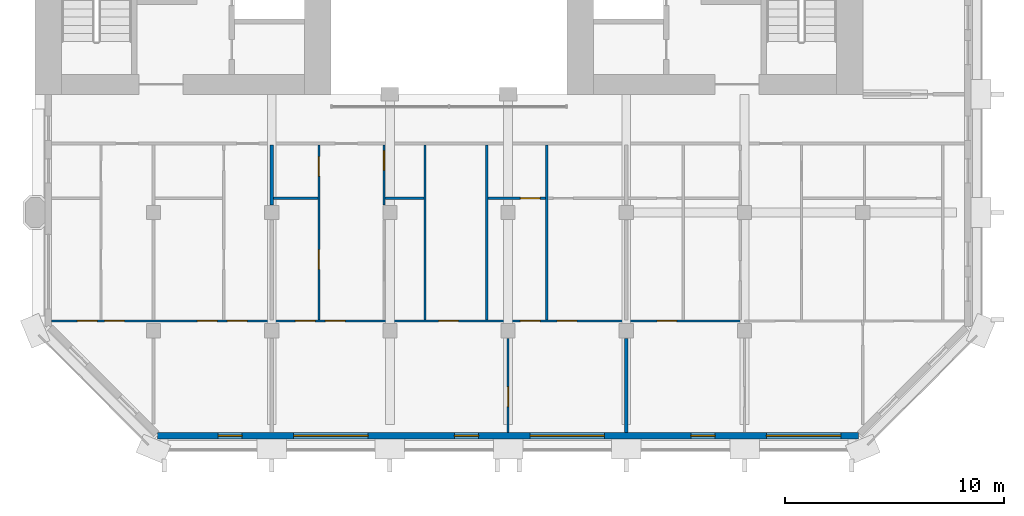
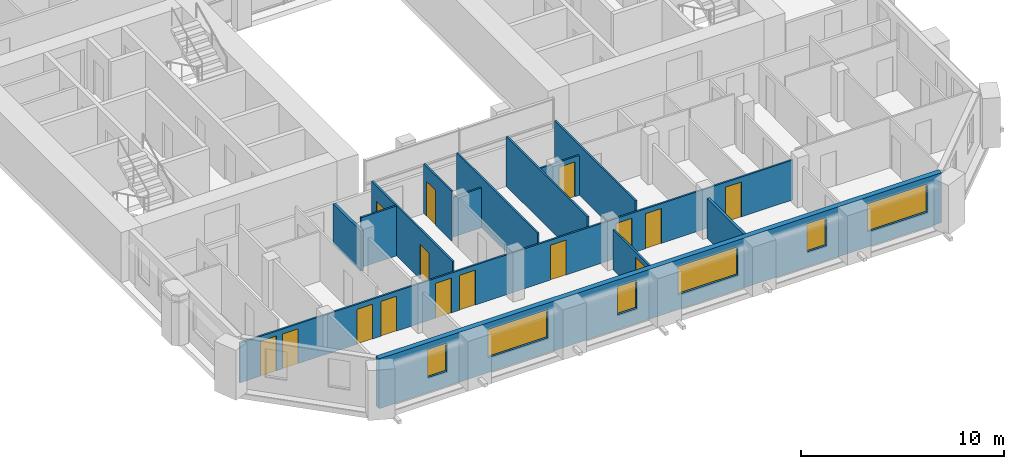
# One storey, part 6 of 14: 15 doors, 13 walls, 6 windows, 21 openings.
"""IFC4 building model written with IfcOpenShell, lengths in metres."""

from ifc_helpers import new_model, si_unit, direction, frame, frame_2d, origin, place, context, subcontext, project, spatial, rectangle, extrude, material, layer, layer_set, type_object, element, fill, save


model = new_model("IFC4")

# Units and contexts
model_context = context("Model", 3, precision=1e-05, world=origin(), true_north=direction((0.0, 1.0)))
body_context = subcontext(model_context, "Body", "Model", "MODEL_VIEW")
ifc_project = project(units=[si_unit("LENGTHUNIT", "METRE"), si_unit("AREAUNIT", "SQUARE_METRE"), si_unit("VOLUMEUNIT", "CUBIC_METRE"), si_unit("PLANEANGLEUNIT", "RADIAN"), si_unit("MASSUNIT", "GRAM", prefix="KILO")], contexts=[model_context])

# Site, building, storey
site_placement = place(None, origin())
site = spatial("IfcSite", under=ifc_project, at=site_placement, CompositionType="ELEMENT")
building_placement = place(site_placement, origin())
building = spatial("IfcBuilding", under=site, at=building_placement, Name="Tabaq Tower and Sports Hall", CompositionType="ELEMENT")
storey_placement = place(building_placement, frame((0.0, 0.0, 281.800048828125)))
storey = spatial("IfcBuildingStorey", under=building, at=storey_placement, Name="L69", CompositionType="ELEMENT", Elevation=281.800048828125)

# Wall, openings, doors
ifc_material_1 = material(Name="Gypsum board on steel studs", Category="steel")
ifc_layer_1 = layer(ifc_material_1, 0.10009765625)
ifc_layer_set_1 = layer_set([ifc_layer_1], Name="Partition 100 Gypsum board")
wall_type_1 = type_object("IfcWallType", Name="Partition 100 Gypsum board", PredefinedType="PARTITIONING", material=ifc_layer_set_1)
wall_1_placement = place(storey_placement, frame((37.652099609375, 5.85009765625, 0.0), z_axis=(0.0, 0.0, 1.0), x_axis=(-1.0, 0.0, 0.0)))
wall_1 = element("IfcWall", 1, at=wall_1_placement, inside=storey, type_object=wall_type_1, Name="Partition wall L69", PredefinedType="PARTITIONING", context=body_context, shape_type="SweptSolid", body=[
    extrude(rectangle(XDim=31.501220703125, YDim=0.10009765625, at=frame_2d((15.75048828125, 0.0))), origin(), (0.0, 0.0, 1.0), 2.39990234375),
])
opening_1_placement = place(wall_1_placement, frame((12.923095703125, 0.0, 0.0)))
opening_1 = element("IfcOpeningElement", 2, at=opening_1_placement, cuts=wall_1, Name="Opening L69-015", PredefinedType="OPENING", context=body_context, shape_type="SweptSolid", body=[
    extrude(rectangle(XDim=0.89990234375, YDim=2.10009765625, at=frame_2d((0.449951171875, 1.050048828125))), frame((0.0, 0.050048828125, 0.0), z_axis=(0.0, -1.0, 0.0), x_axis=(1.0, 0.0, 0.0)), (0.0, 0.0, 1.0), 0.10009765625),
])
opening_2_placement = place(wall_1_placement, frame((29.422119140625, 0.0, 0.0)))
opening_2 = element("IfcOpeningElement", 3, at=opening_2_placement, cuts=wall_1, Name="Opening L69-034", PredefinedType="OPENING", context=body_context, shape_type="SweptSolid", body=[
    extrude(rectangle(XDim=0.89990234375, YDim=2.10009765625, at=frame_2d((0.449951171875, 1.050048828125))), frame((0.0, 0.050048828125, 0.0), z_axis=(0.0, -1.0, 0.0), x_axis=(1.0, 0.0, 0.0)), (0.0, 0.0, 1.0), 0.10009765625),
])
opening_3_placement = place(wall_1_placement, frame((28.181884765625, 0.0, 0.0)))
opening_3 = element("IfcOpeningElement", 4, at=opening_3_placement, cuts=wall_1, Name="Opening L69-035", PredefinedType="OPENING", context=body_context, shape_type="SweptSolid", body=[
    extrude(rectangle(XDim=0.89990234375, YDim=2.10009765625, at=frame_2d((0.449951171875, 1.050048828125))), frame((0.0, 0.050048828125, 0.0), z_axis=(0.0, -1.0, 0.0), x_axis=(1.0, 0.0, 0.0)), (0.0, 0.0, 1.0), 0.10009765625),
])
opening_4_placement = place(wall_1_placement, frame((23.94189453125, 0.0, 0.0)))
opening_4 = element("IfcOpeningElement", 5, at=opening_4_placement, cuts=wall_1, Name="Opening L69-037", PredefinedType="OPENING", context=body_context, shape_type="SweptSolid", body=[
    extrude(rectangle(XDim=0.89990234375, YDim=2.10009765625, at=frame_2d((0.449951171875, 1.050048828125))), frame((0.0, 0.050048828125, 0.0), z_axis=(0.0, -1.0, 0.0), x_axis=(1.0, 0.0, 0.0)), (0.0, 0.0, 1.0), 0.10009765625),
])
opening_5_placement = place(wall_1_placement, frame((22.572021484375, 0.0, 0.0)))
opening_5 = element("IfcOpeningElement", 6, at=opening_5_placement, cuts=wall_1, Name="Opening L69-038", PredefinedType="OPENING", context=body_context, shape_type="SweptSolid", body=[
    extrude(rectangle(XDim=0.89990234375, YDim=2.10009765625, at=frame_2d((0.449951171875, 1.050048828125))), frame((0.0, 0.050048828125, 0.0), z_axis=(0.0, -1.0, 0.0), x_axis=(1.0, 0.0, 0.0)), (0.0, 0.0, 1.0), 0.10009765625),
])
opening_6_placement = place(wall_1_placement, frame((19.466064453125, 0.0, 0.0)))
opening_6 = element("IfcOpeningElement", 7, at=opening_6_placement, cuts=wall_1, Name="Opening L69-040", PredefinedType="OPENING", context=body_context, shape_type="SweptSolid", body=[
    extrude(rectangle(XDim=0.89990234375, YDim=2.10009765625, at=frame_2d((0.449951171875, 1.050048828125))), frame((0.0, 0.050048828125, 0.0), z_axis=(0.0, -1.0, 0.0), x_axis=(1.0, 0.0, 0.0)), (0.0, 0.0, 1.0), 0.10009765625),
])
opening_7_placement = place(wall_1_placement, frame((9.18994140625, 0.0, 0.0)))
opening_7 = element("IfcOpeningElement", 8, at=opening_7_placement, cuts=wall_1, Name="Opening L69-041", PredefinedType="OPENING", context=body_context, shape_type="SweptSolid", body=[
    extrude(rectangle(XDim=0.89990234375, YDim=2.10009765625, at=frame_2d((0.449951171875, 1.050048828125))), frame((0.0, 0.050048828125, 0.0), z_axis=(0.0, -1.0, 0.0), x_axis=(1.0, 0.0, 0.0)), (0.0, 0.0, 1.0), 0.10009765625),
])
opening_8_placement = place(wall_1_placement, frame((7.511962890625, 0.0, 0.0)))
opening_8 = element("IfcOpeningElement", 9, at=opening_8_placement, cuts=wall_1, Name="Opening L69-042", PredefinedType="OPENING", context=body_context, shape_type="SweptSolid", body=[
    extrude(rectangle(XDim=0.89990234375, YDim=2.10009765625, at=frame_2d((0.449951171875, 1.050048828125))), frame((0.0, 0.050048828125, 0.0), z_axis=(0.0, -1.0, 0.0), x_axis=(1.0, 0.0, 0.0)), (0.0, 0.0, 1.0), 0.10009765625),
])
opening_9_placement = place(wall_1_placement, frame((2.951904296875, 0.0, 0.0)))
opening_9 = element("IfcOpeningElement", 10, at=opening_9_placement, cuts=wall_1, Name="Opening L69-045", PredefinedType="OPENING", context=body_context, shape_type="SweptSolid", body=[
    extrude(rectangle(XDim=0.89990234375, YDim=2.10009765625, at=frame_2d((0.449951171875, 1.050048828125))), frame((0.0, 0.050048828125, 0.0), z_axis=(0.0, -1.0, 0.0), x_axis=(1.0, 0.0, 0.0)), (0.0, 0.0, 1.0), 0.10009765625),
])
opening_10_placement = place(wall_1_placement, frame((18.095947265625, 0.0, 0.0)))
opening_10 = element("IfcOpeningElement", 11, at=opening_10_placement, cuts=wall_1, Name="Opening L69-060", PredefinedType="OPENING", context=body_context, shape_type="SweptSolid", body=[
    extrude(rectangle(XDim=0.89990234375, YDim=2.10009765625, at=frame_2d((0.449951171875, 1.050048828125))), frame((0.0, 0.050048828125, 0.0), z_axis=(0.0, -1.0, 0.0), x_axis=(1.0, 0.0, 0.0)), (0.0, 0.0, 1.0), 0.10009765625),
])
ifc_material_2 = material(Name="Timber leaf in steel frame", Category="steel")
door_type_1 = type_object("IfcDoorType", Name="Internal door 900 left hand", OperationType="SINGLE_SWING_LEFT", PredefinedType="DOOR", material=ifc_material_2)
door_1_placement = place(opening_2_placement, origin())
door_1 = element("IfcDoor", 12, at=door_1_placement, inside=storey, type_object=door_type_1, Name="Internal door L69-034", OperationType="SINGLE_SWING_LEFT", OverallHeight=2.10009765625, OverallWidth=0.89990234375, PredefinedType="DOOR", context=body_context, shape_type="SweptSolid", body=[
    extrude(rectangle(XDim=0.89990234375, YDim=2.10009765625, at=frame_2d((0.449951171875, 1.050048828125))), frame((0.0, 0.02490234375, 0.0), z_axis=(0.0, -1.0, 0.0), x_axis=(1.0, 0.0, 0.0)), (0.0, 0.0, 1.0), 0.050048828125),
])
fill(opening_2, door_1)
door_2_placement = place(opening_4_placement, origin())
door_2 = element("IfcDoor", 13, at=door_2_placement, inside=storey, type_object=door_type_1, Name="Internal door L69-037", OperationType="SINGLE_SWING_LEFT", OverallHeight=2.10009765625, OverallWidth=0.89990234375, PredefinedType="DOOR", context=body_context, shape_type="SweptSolid", body=[
    extrude(rectangle(XDim=0.89990234375, YDim=2.10009765625, at=frame_2d((0.449951171875, 1.050048828125))), frame((0.0, 0.02490234375, 0.0), z_axis=(0.0, -1.0, 0.0), x_axis=(1.0, 0.0, 0.0)), (0.0, 0.0, 1.0), 0.050048828125),
])
fill(opening_4, door_2)
door_3_placement = place(opening_6_placement, origin())
door_3 = element("IfcDoor", 14, at=door_3_placement, inside=storey, type_object=door_type_1, Name="Internal door L69-040", OperationType="SINGLE_SWING_LEFT", OverallHeight=2.10009765625, OverallWidth=0.89990234375, PredefinedType="DOOR", context=body_context, shape_type="SweptSolid", body=[
    extrude(rectangle(XDim=0.89990234375, YDim=2.10009765625, at=frame_2d((0.449951171875, 1.050048828125))), frame((0.0, 0.02490234375, 0.0), z_axis=(0.0, -1.0, 0.0), x_axis=(1.0, 0.0, 0.0)), (0.0, 0.0, 1.0), 0.050048828125),
])
fill(opening_6, door_3)
door_4_placement = place(opening_7_placement, origin())
door_4 = element("IfcDoor", 15, at=door_4_placement, inside=storey, type_object=door_type_1, Name="Internal door L69-041", OperationType="SINGLE_SWING_LEFT", OverallHeight=2.10009765625, OverallWidth=0.89990234375, PredefinedType="DOOR", context=body_context, shape_type="SweptSolid", body=[
    extrude(rectangle(XDim=0.89990234375, YDim=2.10009765625, at=frame_2d((0.449951171875, 1.050048828125))), frame((0.0, 0.02490234375, 0.0), z_axis=(0.0, -1.0, 0.0), x_axis=(1.0, 0.0, 0.0)), (0.0, 0.0, 1.0), 0.050048828125),
])
fill(opening_7, door_4)
ifc_material_3 = material(Name="Timber leaf in steel frame", Category="steel")
door_type_2 = type_object("IfcDoorType", Name="Internal door 900 right hand", OperationType="SINGLE_SWING_RIGHT", PredefinedType="DOOR", material=ifc_material_3)
door_5_placement = place(opening_1_placement, origin())
door_5 = element("IfcDoor", 16, at=door_5_placement, inside=storey, type_object=door_type_2, Name="Internal door L69-015", OperationType="SINGLE_SWING_RIGHT", OverallHeight=2.10009765625, OverallWidth=0.89990234375, PredefinedType="DOOR", context=body_context, shape_type="SweptSolid", body=[
    extrude(rectangle(XDim=0.89990234375, YDim=2.10009765625, at=frame_2d((0.449951171875, 1.050048828125))), frame((0.0, 0.02490234375, 0.0), z_axis=(0.0, -1.0, 0.0), x_axis=(1.0, 0.0, 0.0)), (0.0, 0.0, 1.0), 0.050048828125),
])
fill(opening_1, door_5)
door_6_placement = place(opening_3_placement, origin())
door_6 = element("IfcDoor", 17, at=door_6_placement, inside=storey, type_object=door_type_2, Name="Internal door L69-035", OperationType="SINGLE_SWING_RIGHT", OverallHeight=2.10009765625, OverallWidth=0.89990234375, PredefinedType="DOOR", context=body_context, shape_type="SweptSolid", body=[
    extrude(rectangle(XDim=0.89990234375, YDim=2.10009765625, at=frame_2d((0.449951171875, 1.050048828125))), frame((0.0, 0.02490234375, 0.0), z_axis=(0.0, -1.0, 0.0), x_axis=(1.0, 0.0, 0.0)), (0.0, 0.0, 1.0), 0.050048828125),
])
fill(opening_3, door_6)
door_7_placement = place(opening_5_placement, origin())
door_7 = element("IfcDoor", 18, at=door_7_placement, inside=storey, type_object=door_type_2, Name="Internal door L69-038", OperationType="SINGLE_SWING_RIGHT", OverallHeight=2.10009765625, OverallWidth=0.89990234375, PredefinedType="DOOR", context=body_context, shape_type="SweptSolid", body=[
    extrude(rectangle(XDim=0.89990234375, YDim=2.10009765625, at=frame_2d((0.449951171875, 1.050048828125))), frame((0.0, 0.02490234375, 0.0), z_axis=(0.0, -1.0, 0.0), x_axis=(1.0, 0.0, 0.0)), (0.0, 0.0, 1.0), 0.050048828125),
])
fill(opening_5, door_7)
door_8_placement = place(opening_8_placement, origin())
door_8 = element("IfcDoor", 19, at=door_8_placement, inside=storey, type_object=door_type_2, Name="Internal door L69-042", OperationType="SINGLE_SWING_RIGHT", OverallHeight=2.10009765625, OverallWidth=0.89990234375, PredefinedType="DOOR", context=body_context, shape_type="SweptSolid", body=[
    extrude(rectangle(XDim=0.89990234375, YDim=2.10009765625, at=frame_2d((0.449951171875, 1.050048828125))), frame((0.0, 0.02490234375, 0.0), z_axis=(0.0, -1.0, 0.0), x_axis=(1.0, 0.0, 0.0)), (0.0, 0.0, 1.0), 0.050048828125),
])
fill(opening_8, door_8)
door_9_placement = place(opening_9_placement, origin())
door_9 = element("IfcDoor", 20, at=door_9_placement, inside=storey, type_object=door_type_2, Name="Internal door L69-045", OperationType="SINGLE_SWING_RIGHT", OverallHeight=2.10009765625, OverallWidth=0.89990234375, PredefinedType="DOOR", context=body_context, shape_type="SweptSolid", body=[
    extrude(rectangle(XDim=0.89990234375, YDim=2.10009765625, at=frame_2d((0.449951171875, 1.050048828125))), frame((0.0, 0.02490234375, 0.0), z_axis=(0.0, -1.0, 0.0), x_axis=(1.0, 0.0, 0.0)), (0.0, 0.0, 1.0), 0.050048828125),
])
fill(opening_9, door_9)
door_10_placement = place(opening_10_placement, origin())
door_10 = element("IfcDoor", 21, at=door_10_placement, inside=storey, type_object=door_type_2, Name="Internal door L69-060", OperationType="SINGLE_SWING_RIGHT", OverallHeight=2.10009765625, OverallWidth=0.89990234375, PredefinedType="DOOR", context=body_context, shape_type="SweptSolid", body=[
    extrude(rectangle(XDim=0.89990234375, YDim=2.10009765625, at=frame_2d((0.449951171875, 1.050048828125))), frame((0.0, 0.02490234375, 0.0), z_axis=(0.0, -1.0, 0.0), x_axis=(1.0, 0.0, 0.0)), (0.0, 0.0, 1.0), 0.050048828125),
])
fill(opening_10, door_10)

# Wall, opening, door
wall_2_placement = place(storey_placement, frame((27.0, 0.7509765625, 0.0), z_axis=(0.0, 0.0, 1.0), x_axis=(0.0, 1.0, 0.0)))
wall_2 = element("IfcWall", 22, at=wall_2_placement, inside=storey, type_object=wall_type_1, Name="Partition wall L69", PredefinedType="PARTITIONING", context=body_context, shape_type="SweptSolid", body=[
    extrude(rectangle(XDim=4.303955078125, YDim=0.10009765625, at=frame_2d((2.15185546875, 0.0))), origin(), (0.0, 0.0, 1.0), 2.39990234375),
])
opening_11_placement = place(wall_2_placement, frame((1.179931640625, 0.0, 0.0)))
opening_11 = element("IfcOpeningElement", 23, at=opening_11_placement, cuts=wall_2, Name="Opening L69-051", PredefinedType="OPENING", context=body_context, shape_type="SweptSolid", body=[
    extrude(rectangle(XDim=0.89990234375, YDim=2.10009765625, at=frame_2d((0.449951171875, 1.050048828125))), frame((0.0, 0.050048828125, 0.0), z_axis=(0.0, -1.0, 0.0), x_axis=(1.0, 0.0, 0.0)), (0.0, 0.0, 1.0), 0.10009765625),
])
door_11_placement = place(opening_11_placement, origin())
door_11 = element("IfcDoor", 24, at=door_11_placement, inside=storey, type_object=door_type_2, Name="Internal door L69-051", OperationType="SINGLE_SWING_RIGHT", OverallHeight=2.10009765625, OverallWidth=0.89990234375, PredefinedType="DOOR", context=body_context, shape_type="SweptSolid", body=[
    extrude(rectangle(XDim=0.89990234375, YDim=2.10009765625, at=frame_2d((0.449951171875, 1.050048828125))), frame((0.0, 0.02490234375, 0.0), z_axis=(0.0, -1.0, 0.0), x_axis=(1.0, 0.0, 0.0)), (0.0, 0.0, 1.0), 0.050048828125),
])
fill(opening_11, door_11)

# Wall
wall_3_placement = place(storey_placement, frame((18.305908203125, 11.449951171875, 0.0), z_axis=(0.0, 0.0, 1.0), x_axis=(-1.0, 0.0, 0.0)))
element("IfcWall", 25, at=wall_3_placement, inside=storey, type_object=wall_type_1, Name="Partition wall L69", PredefinedType="PARTITIONING", context=body_context, shape_type="SweptSolid", body=[
    extrude(rectangle(XDim=2.031005859375, YDim=0.10009765625, at=frame_2d((1.015625, 0.0))), origin(), (0.0, 0.0, 1.0), 3.0),
])

# Wall, openings, doors
wall_4_placement = place(storey_placement, frame((18.35595703125, 5.89990234375, 0.0), z_axis=(0.0, 0.0, 1.0), x_axis=(0.0, 1.0, 0.0)))
wall_4 = element("IfcWall", 26, at=wall_4_placement, inside=storey, type_object=wall_type_1, Name="Partition wall L69", PredefinedType="PARTITIONING", context=body_context, shape_type="SweptSolid", body=[
    extrude(rectangle(XDim=7.97509765625, YDim=0.10009765625, at=frame_2d((3.987548828125, 0.0))), origin(), (0.0, 0.0, 1.0), 3.0),
])
opening_12_placement = place(wall_4_placement, frame((6.55810546875, 0.0, 0.0)))
opening_12 = element("IfcOpeningElement", 27, at=opening_12_placement, cuts=wall_4, Name="Opening L69-016", PredefinedType="OPENING", context=body_context, shape_type="SweptSolid", body=[
    extrude(rectangle(XDim=0.89990234375, YDim=2.10009765625, at=frame_2d((0.449951171875, 1.050048828125))), frame((0.0, 0.050048828125, 0.0), z_axis=(0.0, -1.0, 0.0), x_axis=(1.0, 0.0, 0.0)), (0.0, 0.0, 1.0), 0.10009765625),
])
opening_13_placement = place(wall_4_placement, frame((2.300048828125, 0.0, 0.0)))
opening_13 = element("IfcOpeningElement", 28, at=opening_13_placement, cuts=wall_4, Name="Opening L69-043", PredefinedType="OPENING", context=body_context, shape_type="SweptSolid", body=[
    extrude(rectangle(XDim=0.89990234375, YDim=2.10009765625, at=frame_2d((0.449951171875, 1.050048828125))), frame((0.0, 0.050048828125, 0.0), z_axis=(0.0, -1.0, 0.0), x_axis=(1.0, 0.0, 0.0)), (0.0, 0.0, 1.0), 0.10009765625),
])
door_12_placement = place(opening_13_placement, origin())
door_12 = element("IfcDoor", 29, at=door_12_placement, inside=storey, type_object=door_type_1, Name="Internal door L69-043", OperationType="SINGLE_SWING_LEFT", OverallHeight=2.10009765625, OverallWidth=0.89990234375, PredefinedType="DOOR", context=body_context, shape_type="SweptSolid", body=[
    extrude(rectangle(XDim=0.89990234375, YDim=2.10009765625, at=frame_2d((0.449951171875, 1.050048828125))), frame((0.0, 0.02490234375, 0.0), z_axis=(0.0, -1.0, 0.0), x_axis=(1.0, 0.0, 0.0)), (0.0, 0.0, 1.0), 0.050048828125),
])
fill(opening_13, door_12)
door_13_placement = place(opening_12_placement, origin())
door_13 = element("IfcDoor", 30, at=door_13_placement, inside=storey, type_object=door_type_2, Name="Internal door L69-016", OperationType="SINGLE_SWING_RIGHT", OverallHeight=2.10009765625, OverallWidth=0.89990234375, PredefinedType="DOOR", context=body_context, shape_type="SweptSolid", body=[
    extrude(rectangle(XDim=0.89990234375, YDim=2.10009765625, at=frame_2d((0.449951171875, 1.050048828125))), frame((0.0, 0.02490234375, 0.0), z_axis=(0.0, -1.0, 0.0), x_axis=(1.0, 0.0, 0.0)), (0.0, 0.0, 1.0), 0.050048828125),
])
fill(opening_12, door_13)

# Wall, opening, door
wall_5_placement = place(storey_placement, frame((21.3310546875, 11.14501953125, 0.0), z_axis=(0.0, 0.0, 1.0), x_axis=(0.0, 1.0, 0.0)))
wall_5 = element("IfcWall", 31, at=wall_5_placement, inside=storey, type_object=wall_type_1, Name="Partition wall L69", PredefinedType="PARTITIONING", context=body_context, shape_type="SweptSolid", body=[
    extrude(rectangle(XDim=2.72998046875, YDim=0.10009765625, at=frame_2d((1.364990234375, 0.0))), origin(), (0.0, 0.0, 1.0), 3.0),
])
opening_14_placement = place(wall_5_placement, frame((1.580078125, 0.0, 0.0)))
opening_14 = element("IfcOpeningElement", 32, at=opening_14_placement, cuts=wall_5, Name="Opening L69-018", PredefinedType="OPENING", context=body_context, shape_type="SweptSolid", body=[
    extrude(rectangle(XDim=0.89990234375, YDim=2.10009765625, at=frame_2d((0.449951171875, 1.050048828125))), frame((0.0, 0.050048828125, 0.0), z_axis=(0.0, -1.0, 0.0), x_axis=(1.0, 0.0, 0.0)), (0.0, 0.0, 1.0), 0.10009765625),
])
door_14_placement = place(opening_14_placement, origin())
door_14 = element("IfcDoor", 33, at=door_14_placement, inside=storey, type_object=door_type_1, Name="Internal door L69-018", OperationType="SINGLE_SWING_LEFT", OverallHeight=2.10009765625, OverallWidth=0.89990234375, PredefinedType="DOOR", context=body_context, shape_type="SweptSolid", body=[
    extrude(rectangle(XDim=0.89990234375, YDim=2.10009765625, at=frame_2d((0.449951171875, 1.050048828125))), frame((0.0, 0.02490234375, 0.0), z_axis=(0.0, -1.0, 0.0), x_axis=(1.0, 0.0, 0.0)), (0.0, 0.0, 1.0), 0.050048828125),
])
fill(opening_14, door_14)

# Walls
wall_6_placement = place(storey_placement, frame((23.14697265625, 11.449951171875, 0.0), z_axis=(0.0, 0.0, 1.0), x_axis=(-1.0, 0.0, 0.0)))
element("IfcWall", 34, at=wall_6_placement, inside=storey, type_object=wall_type_1, Name="Partition wall L69", PredefinedType="PARTITIONING", context=body_context, shape_type="SweptSolid", body=[
    extrude(rectangle(XDim=1.765869140625, YDim=0.10009765625, at=frame_2d((0.8828125, 0.0))), origin(), (0.0, 0.0, 1.0), 2.39990234375),
])
for number, where, z_axis, x_axis, name in (
    (35, (23.197021484375, 5.89990234375, 0.0), (0.0, 0.0, 1.0), (0.0, 1.0, 0.0), "Partition wall L69"),
    (36, (26.027099609375, 5.89990234375, 0.0), (0.0, 0.0, 1.0), (0.0, 1.0, 0.0), "Partition wall L69"),
):
    element("IfcWall", number, at=place(storey_placement, frame(where, z_axis=z_axis, x_axis=x_axis)), inside=storey, type_object=wall_type_1, Name=name, PredefinedType="PARTITIONING", context=body_context, shape_type="SweptSolid", body=[
        extrude(rectangle(XDim=7.97509765625, YDim=0.10009765625, at=frame_2d((3.987548828125, 0.0))), origin(), (0.0, 0.0, 1.0), 3.0),
    ])

# Wall, opening, door
wall_7_placement = place(storey_placement, frame((28.7119140625, 11.449951171875, 0.0), z_axis=(0.0, 0.0, 1.0), x_axis=(-1.0, 0.0, 0.0)))
wall_7 = element("IfcWall", 37, at=wall_7_placement, inside=storey, type_object=wall_type_1, Name="Partition wall L69", PredefinedType="PARTITIONING", context=body_context, shape_type="SweptSolid", body=[
    extrude(rectangle(XDim=2.635009765625, YDim=0.10009765625, at=frame_2d((1.3173828125, 0.0))), origin(), (0.0, 0.0, 1.0), 2.39990234375),
])
opening_15_placement = place(wall_7_placement, frame((0.25, 0.0, 0.0)))
opening_15 = element("IfcOpeningElement", 38, at=opening_15_placement, cuts=wall_7, Name="Opening L69-019", PredefinedType="OPENING", context=body_context, shape_type="SweptSolid", body=[
    extrude(rectangle(XDim=0.89990234375, YDim=2.10009765625, at=frame_2d((0.449951171875, 1.050048828125))), frame((0.0, 0.050048828125, 0.0), z_axis=(0.0, -1.0, 0.0), x_axis=(1.0, 0.0, 0.0)), (0.0, 0.0, 1.0), 0.10009765625),
])
door_15_placement = place(opening_15_placement, origin())
door_15 = element("IfcDoor", 39, at=door_15_placement, inside=storey, type_object=door_type_2, Name="Internal door L69-019", OperationType="SINGLE_SWING_RIGHT", OverallHeight=2.10009765625, OverallWidth=0.89990234375, PredefinedType="DOOR", context=body_context, shape_type="SweptSolid", body=[
    extrude(rectangle(XDim=0.89990234375, YDim=2.10009765625, at=frame_2d((0.449951171875, 1.050048828125))), frame((0.0, 0.02490234375, 0.0), z_axis=(0.0, -1.0, 0.0), x_axis=(1.0, 0.0, 0.0)), (0.0, 0.0, 1.0), 0.050048828125),
])
fill(opening_15, door_15)

# Walls
wall_8_placement = place(storey_placement, frame((28.761962890625, 5.89990234375, 0.0), z_axis=(0.0, 0.0, 1.0), x_axis=(0.0, 1.0, 0.0)))
element("IfcWall", 40, at=wall_8_placement, inside=storey, type_object=wall_type_1, Name="Partition wall L69", PredefinedType="PARTITIONING", context=body_context, shape_type="SweptSolid", body=[
    extrude(rectangle(XDim=7.97509765625, YDim=0.10009765625, at=frame_2d((3.987548828125, 0.0))), origin(), (0.0, 0.0, 1.0), 3.0),
])
ifc_material_4 = material(Name="Blockwork", Category="masonry")
ifc_layer_2 = layer(ifc_material_4, 0.14990234375)
ifc_layer_set_2 = layer_set([ifc_layer_2], Name="Separating wall 150 Blockwork")
wall_type_2 = type_object("IfcWallType", Name="Separating wall 150 Blockwork", PredefinedType="PARTITIONING", material=ifc_layer_set_2)
wall_9_placement = place(storey_placement, frame((16.199951171875, 11.14501953125, 0.0), z_axis=(0.0, 0.0, 1.0), x_axis=(0.0, 1.0, 0.0)))
element("IfcWall", 41, at=wall_9_placement, inside=storey, type_object=wall_type_2, Name="Separating wall L69", PredefinedType="PARTITIONING", context=body_context, shape_type="SweptSolid", body=[
    extrude(rectangle(XDim=2.72998046875, YDim=0.14990234375, at=frame_2d((1.364990234375, 0.0))), origin(), (0.0, 0.0, 1.0), 2.39990234375),
])
wall_10_placement = place(storey_placement, frame((32.39990234375, 0.7509765625, 0.0), z_axis=(0.0, 0.0, 1.0), x_axis=(0.0, 1.0, 0.0)))
element("IfcWall", 42, at=wall_10_placement, inside=storey, type_object=wall_type_2, Name="Separating wall L69", PredefinedType="PARTITIONING", context=body_context, shape_type="SweptSolid", body=[
    extrude(rectangle(XDim=4.303955078125, YDim=0.14990234375, at=frame_2d((2.15185546875, 0.0))), origin(), (0.0, 0.0, 1.0), 2.39990234375),
])

# Wall, openings, windows
ifc_material_5 = material(Name="White precast concrete C60/75", Category="concrete")
ifc_layer_3 = layer(ifc_material_5, 0.300048828125)
ifc_layer_set_3 = layer_set([ifc_layer_3], Name="White precast concrete C60/75 external wall 300")
wall_type_3 = type_object("IfcWallType", Name="White precast concrete C60/75 external wall 300", PredefinedType="SOLIDWALL", material=ifc_layer_set_3)
wall_11_placement = place(storey_placement, frame((10.986328125, 0.60009765625, 0.0), z_axis=(0.0, 0.0, 1.0), x_axis=(1.0, 0.0, 0.0)))
wall_11 = element("IfcWall", 43, at=wall_11_placement, inside=storey, type_object=wall_type_3, Name="External Wall L69 S", PredefinedType="SOLIDWALL", context=body_context, shape_type="SweptSolid", body=[
    extrude(rectangle(XDim=32.02734375, YDim=0.300048828125, at=frame_2d((16.013671875, 0.0))), origin(), (0.0, 0.0, 1.0), 3.0),
])
opening_16_placement = place(wall_11_placement, frame((2.763671875, 0.0, 0.89990234375)))
opening_16 = element("IfcOpeningElement", 44, at=opening_16_placement, cuts=wall_11, Name="Opening W1B", PredefinedType="OPENING", context=body_context, shape_type="SweptSolid", body=[
    extrude(rectangle(XDim=1.10009765625, YDim=1.699951171875, at=frame_2d((0.550048828125, 0.85009765625))), frame((0.0, 0.16015625, 0.0), z_axis=(0.0, -1.0, 0.0), x_axis=(1.0, 0.0, 0.0)), (0.0, 0.0, 1.0), 0.320068359375),
])
opening_17_placement = place(wall_11_placement, frame((6.213623046875, 0.0, 0.89990234375)))
opening_17 = element("IfcOpeningElement", 45, at=opening_17_placement, cuts=wall_11, Name="Opening W1A", PredefinedType="OPENING", context=body_context, shape_type="SweptSolid", body=[
    extrude(rectangle(XDim=3.39990234375, YDim=1.699951171875, at=frame_2d((1.699951171875, 0.85009765625))), frame((0.0, 0.16015625, 0.0), z_axis=(0.0, -1.0, 0.0), x_axis=(1.0, 0.0, 0.0)), (0.0, 0.0, 1.0), 0.320068359375),
])
opening_18_placement = place(wall_11_placement, frame((13.563720703125, 0.0, 0.89990234375)))
opening_18 = element("IfcOpeningElement", 46, at=opening_18_placement, cuts=wall_11, Name="Opening W1B", PredefinedType="OPENING", context=body_context, shape_type="SweptSolid", body=[
    extrude(rectangle(XDim=1.10009765625, YDim=1.699951171875, at=frame_2d((0.550048828125, 0.85009765625))), frame((0.0, 0.16015625, 0.0), z_axis=(0.0, -1.0, 0.0), x_axis=(1.0, 0.0, 0.0)), (0.0, 0.0, 1.0), 0.320068359375),
])
opening_19_placement = place(wall_11_placement, frame((17.013671875, 0.0, 0.89990234375)))
opening_19 = element("IfcOpeningElement", 47, at=opening_19_placement, cuts=wall_11, Name="Opening W1A", PredefinedType="OPENING", context=body_context, shape_type="SweptSolid", body=[
    extrude(rectangle(XDim=3.39990234375, YDim=1.699951171875, at=frame_2d((1.699951171875, 0.85009765625))), frame((0.0, 0.16015625, 0.0), z_axis=(0.0, -1.0, 0.0), x_axis=(1.0, 0.0, 0.0)), (0.0, 0.0, 1.0), 0.320068359375),
])
opening_20_placement = place(wall_11_placement, frame((24.363525390625, 0.0, 0.89990234375)))
opening_20 = element("IfcOpeningElement", 48, at=opening_20_placement, cuts=wall_11, Name="Opening W1B", PredefinedType="OPENING", context=body_context, shape_type="SweptSolid", body=[
    extrude(rectangle(XDim=1.10009765625, YDim=1.699951171875, at=frame_2d((0.550048828125, 0.85009765625))), frame((0.0, 0.16015625, 0.0), z_axis=(0.0, -1.0, 0.0), x_axis=(1.0, 0.0, 0.0)), (0.0, 0.0, 1.0), 0.320068359375),
])
opening_21_placement = place(wall_11_placement, frame((27.813720703125, 0.0, 0.89990234375)))
opening_21 = element("IfcOpeningElement", 49, at=opening_21_placement, cuts=wall_11, Name="Opening W1A", PredefinedType="OPENING", context=body_context, shape_type="SweptSolid", body=[
    extrude(rectangle(XDim=3.39990234375, YDim=1.699951171875, at=frame_2d((1.699951171875, 0.85009765625))), frame((0.0, 0.16015625, 0.0), z_axis=(0.0, -1.0, 0.0), x_axis=(1.0, 0.0, 0.0)), (0.0, 0.0, 1.0), 0.320068359375),
])
ifc_material_6 = material(Name="Aluminium framed clear glazing", Category="aluminium")
window_type_1 = type_object("IfcWindowType", Name="Window W1A", PartitioningType="SINGLE_PANEL", PredefinedType="WINDOW", material=ifc_material_6)
window_1_placement = place(opening_17_placement, origin())
window_1 = element("IfcWindow", 50, at=window_1_placement, inside=storey, type_object=window_type_1, Name="Window W1A L69", OverallHeight=1.699951171875, OverallWidth=3.39990234375, PartitioningType="SINGLE_PANEL", PredefinedType="WINDOW", context=body_context, shape_type="SweptSolid", body=[
    extrude(rectangle(XDim=3.39990234375, YDim=1.699951171875, at=frame_2d((1.699951171875, 0.85009765625))), frame((0.0, 0.030029296875, 0.0), z_axis=(0.0, -1.0, 0.0), x_axis=(1.0, 0.0, 0.0)), (0.0, 0.0, 1.0), 0.06005859375),
])
fill(opening_17, window_1)
window_2_placement = place(opening_19_placement, origin())
window_2 = element("IfcWindow", 51, at=window_2_placement, inside=storey, type_object=window_type_1, Name="Window W1A L69", OverallHeight=1.699951171875, OverallWidth=3.39990234375, PartitioningType="SINGLE_PANEL", PredefinedType="WINDOW", context=body_context, shape_type="SweptSolid", body=[
    extrude(rectangle(XDim=3.39990234375, YDim=1.699951171875, at=frame_2d((1.699951171875, 0.85009765625))), frame((0.0, 0.030029296875, 0.0), z_axis=(0.0, -1.0, 0.0), x_axis=(1.0, 0.0, 0.0)), (0.0, 0.0, 1.0), 0.06005859375),
])
fill(opening_19, window_2)
window_3_placement = place(opening_21_placement, origin())
window_3 = element("IfcWindow", 52, at=window_3_placement, inside=storey, type_object=window_type_1, Name="Window W1A L69", OverallHeight=1.699951171875, OverallWidth=3.39990234375, PartitioningType="SINGLE_PANEL", PredefinedType="WINDOW", context=body_context, shape_type="SweptSolid", body=[
    extrude(rectangle(XDim=3.39990234375, YDim=1.699951171875, at=frame_2d((1.699951171875, 0.85009765625))), frame((0.0, 0.030029296875, 0.0), z_axis=(0.0, -1.0, 0.0), x_axis=(1.0, 0.0, 0.0)), (0.0, 0.0, 1.0), 0.06005859375),
])
fill(opening_21, window_3)
ifc_material_7 = material(Name="Aluminium framed clear glazing", Category="aluminium")
window_type_2 = type_object("IfcWindowType", Name="Window W1B", PartitioningType="SINGLE_PANEL", PredefinedType="WINDOW", material=ifc_material_7)
window_4_placement = place(opening_16_placement, origin())
window_4 = element("IfcWindow", 53, at=window_4_placement, inside=storey, type_object=window_type_2, Name="Window W1B L69", OverallHeight=1.699951171875, OverallWidth=1.10009765625, PartitioningType="SINGLE_PANEL", PredefinedType="WINDOW", context=body_context, shape_type="SweptSolid", body=[
    extrude(rectangle(XDim=1.10009765625, YDim=1.699951171875, at=frame_2d((0.550048828125, 0.85009765625))), frame((0.0, 0.030029296875, 0.0), z_axis=(0.0, -1.0, 0.0), x_axis=(1.0, 0.0, 0.0)), (0.0, 0.0, 1.0), 0.06005859375),
])
fill(opening_16, window_4)
window_5_placement = place(opening_18_placement, origin())
window_5 = element("IfcWindow", 54, at=window_5_placement, inside=storey, type_object=window_type_2, Name="Window W1B L69", OverallHeight=1.699951171875, OverallWidth=1.10009765625, PartitioningType="SINGLE_PANEL", PredefinedType="WINDOW", context=body_context, shape_type="SweptSolid", body=[
    extrude(rectangle(XDim=1.10009765625, YDim=1.699951171875, at=frame_2d((0.550048828125, 0.85009765625))), frame((0.0, 0.030029296875, 0.0), z_axis=(0.0, -1.0, 0.0), x_axis=(1.0, 0.0, 0.0)), (0.0, 0.0, 1.0), 0.06005859375),
])
fill(opening_18, window_5)
window_6_placement = place(opening_20_placement, origin())
window_6 = element("IfcWindow", 55, at=window_6_placement, inside=storey, type_object=window_type_2, Name="Window W1B L69", OverallHeight=1.699951171875, OverallWidth=1.10009765625, PartitioningType="SINGLE_PANEL", PredefinedType="WINDOW", context=body_context, shape_type="SweptSolid", body=[
    extrude(rectangle(XDim=1.10009765625, YDim=1.699951171875, at=frame_2d((0.550048828125, 0.85009765625))), frame((0.0, 0.030029296875, 0.0), z_axis=(0.0, -1.0, 0.0), x_axis=(1.0, 0.0, 0.0)), (0.0, 0.0, 1.0), 0.06005859375),
])
fill(opening_20, window_6)

save(model, "model.ifc")
